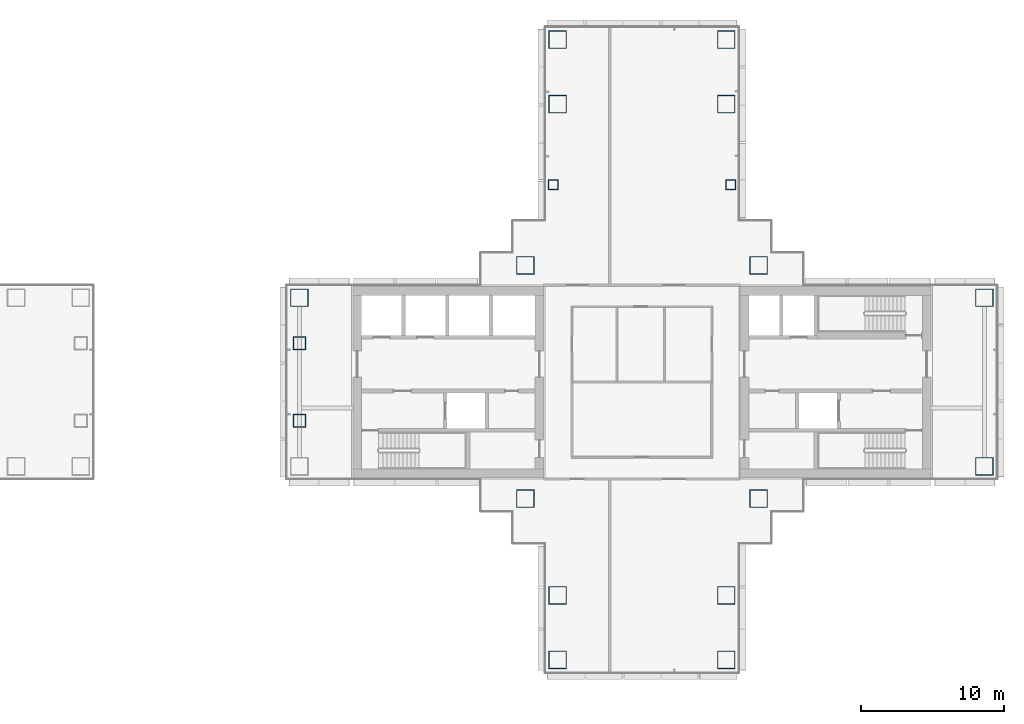
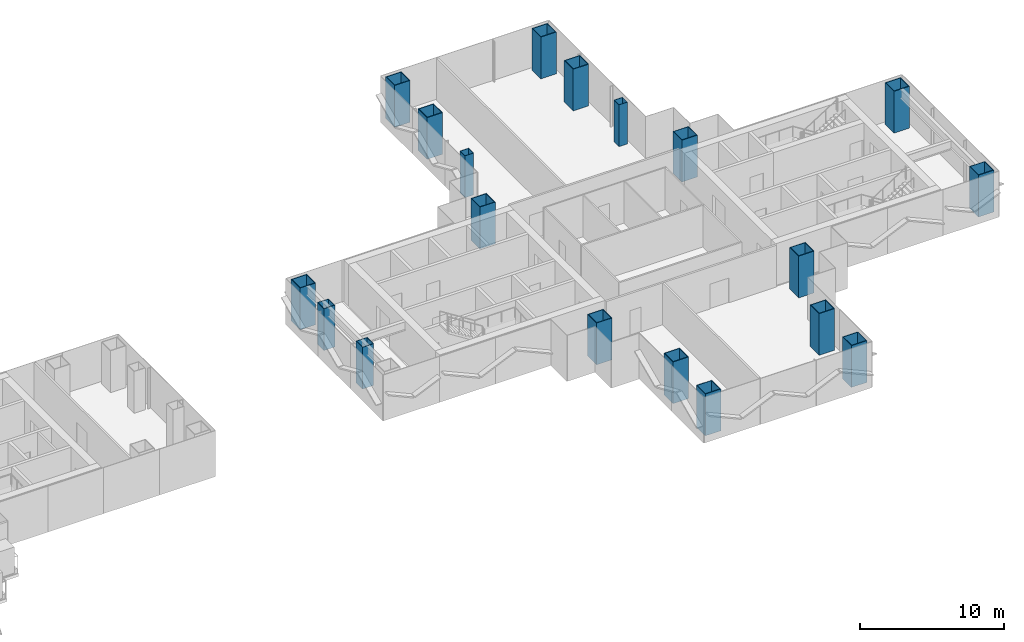
# One storey, part 2 of 20: 19 columns.
"""IFC4 building model written with IfcOpenShell, lengths in metres."""

import ifcopenshell
import ifcopenshell.guid

model = None  # the IFC model being written
_history = None  # IfcOwnerHistory: only IFC2X3 demands one
_inside = {}  # id of a spatial element -> (the spatial element, [elements in it])
_under = {}  # id of a project, library or spatial element -> (it, [spatial elements below it])
_declared = {}  # id of a project -> (the project, [libraries it declares])
_typed = {}  # id of a type object -> (the type object, [elements of that type])
_made_of = {}  # id of a material, layer set ... -> (it, [elements and type objects made of it])


def new_model(schema):
    """Start an empty IFC model of exactly this schema.

    Asked for "IFC4X3", IfcOpenShell would pick the latest addendum, in which some entities
    have other attributes; the version numbers below select the first issue.
    IFC2X3 requires an IfcOwnerHistory on every rooted entity: one is made here for all.
    """
    global model, _history
    if schema == "IFC4X3":
        model = ifcopenshell.file(schema_version=(4, 3, 0, 0))
    else:
        model = ifcopenshell.file(schema=schema)
    _inside.clear()
    _under.clear()
    _declared.clear()
    _typed.clear()
    _made_of.clear()
    _history = None
    if model.schema == "IFC2X3":
        org = make("IfcOrganization", Name="unknown")
        user = make(
            "IfcPersonAndOrganization",
            ThePerson=make("IfcPerson", FamilyName="unknown"),
            TheOrganization=org,
        )
        app = make(
            "IfcApplication",
            ApplicationDeveloper=org,
            Version="unknown",
            ApplicationFullName="unknown",
            ApplicationIdentifier="unknown",
        )
        _history = make(
            "IfcOwnerHistory",
            OwningUser=user,
            OwningApplication=app,
            ChangeAction="ADDED",
            CreationDate=0,
        )
    return model


def make(cls, **values):
    """One entity of the class cls with the attributes given. An attribute that is None is left unset."""
    return model.create_entity(
        cls, **{name: value for name, value in values.items() if value is not None}
    )


def rooted(cls, **values):
    """An entity with a GlobalId (a new one), such as an element, a storey or a relation."""
    return make(cls, GlobalId=ifcopenshell.guid.new(), OwnerHistory=_history, **values)


def si_unit(unit_type, name, prefix=None):
    """IfcSIUnit, for example si_unit("LENGTHUNIT", "METRE", prefix="MILLI")."""
    return make("IfcSIUnit", UnitType=unit_type, Prefix=prefix, Name=name)


def assignment(units):
    """IfcUnitAssignment: the units of a project."""
    return None if units is None else make("IfcUnitAssignment", Units=units)


def point(xyz):
    """IfcCartesianPoint."""
    return None if xyz is None else make("IfcCartesianPoint", Coordinates=xyz)


def direction(xyz):
    """IfcDirection."""
    return None if xyz is None else make("IfcDirection", DirectionRatios=xyz)


def frame(location, z_axis=None, x_axis=None):
    """IfcAxis2Placement3D, a coordinate frame: its origin and axes. An axis left out is left unset."""
    return make(
        "IfcAxis2Placement3D",
        Location=point(location),
        Axis=direction(z_axis),
        RefDirection=direction(x_axis),
    )


def frame_2d(location, x_axis=None):
    """IfcAxis2Placement2D, a coordinate frame in the plane: its origin and x axis."""
    return make(
        "IfcAxis2Placement2D", Location=point(location), RefDirection=direction(x_axis)
    )


def origin():
    """The frame at (0, 0, 0) with its axes left unset."""
    return frame((0.0, 0.0, 0.0))


def origin_2d():
    """The frame at (0, 0) in the plane with its x axis left unset."""
    return frame_2d((0.0, 0.0))


def place(relative_to, where):
    """IfcLocalPlacement: puts the frame where relative to a parent placement (None: the world)."""
    return make(
        "IfcLocalPlacement", PlacementRelTo=relative_to, RelativePlacement=where
    )


def context(
    kind, dimensions, precision=None, world=None, true_north=None, identifier=None
):
    """IfcGeometricRepresentationContext, for example the 3D "Model" context."""
    return make(
        "IfcGeometricRepresentationContext",
        ContextIdentifier=identifier,
        ContextType=kind,
        CoordinateSpaceDimension=dimensions,
        Precision=precision,
        WorldCoordinateSystem=world,
        TrueNorth=true_north,
    )


def subcontext(parent, identifier, kind, view, scale=None):
    """IfcGeometricRepresentationSubContext, for example "Body" below "Model"."""
    return make(
        "IfcGeometricRepresentationSubContext",
        ContextIdentifier=identifier,
        ContextType=kind,
        ParentContext=parent,
        TargetScale=scale,
        TargetView=view,
    )


def project(units=None, contexts=None):
    """IfcProject with its units and contexts."""
    return rooted(
        "IfcProject",
        Name="project",
        RepresentationContexts=contexts,
        UnitsInContext=assignment(units),
    )


def spatial(cls, under=None, at=None, **own):
    """A site, building, storey or space (cls), placed at a placement, below another one or the project."""
    s = rooted(cls, ObjectPlacement=at, **own)
    if under is not None:
        _under.setdefault(under.id(), (under, []))[1].append(s)
    return s


def profile(cls, at=None, kind="AREA", **sizes):
    """A parametric profile (cls). Its sizes go by their IFC names, for example OverallWidth=200.0."""
    return make(cls, ProfileType=kind, Position=at, **sizes)


def hollow_rectangle(**sizes):
    """IfcRectangleHollowProfileDef."""
    return profile("IfcRectangleHollowProfileDef", **sizes)


def extrude(swept, where, along, depth):
    """IfcExtrudedAreaSolid: the profile swept, set in the frame where, extruded along a direction by depth."""
    return make(
        "IfcExtrudedAreaSolid",
        SweptArea=swept,
        Position=where,
        ExtrudedDirection=direction(along),
        Depth=depth,
    )


def shape(context_of_items, identifier, shape_type, items):
    """IfcShapeRepresentation: the items that make up one representation, for example the "Body"."""
    return make(
        "IfcShapeRepresentation",
        ContextOfItems=context_of_items,
        RepresentationIdentifier=identifier,
        RepresentationType=shape_type,
        Items=items,
    )


def material(Name=None, Category=None):
    """IfcMaterial."""
    return make("IfcMaterial", Name=Name, Category=Category)


def material_profile(
    of_material, cross_section, Name=None, Category=None, Priority=None
):
    """IfcMaterialProfile: a cross section and its material."""
    return make(
        "IfcMaterialProfile",
        Name=Name,
        Material=of_material,
        Profile=cross_section,
        Priority=Priority,
        Category=Category,
    )


def profile_set(profiles, Name=None, composite=None):
    """IfcMaterialProfileSet."""
    return make(
        "IfcMaterialProfileSet",
        Name=Name,
        MaterialProfiles=profiles,
        CompositeProfile=composite,
    )


def made_of(thing, what):
    """Note that an element or type object is made of a material, layer set ...; save() writes the relation."""
    if what is not None:
        _made_of.setdefault(what.id(), (what, []))[1].append(thing)
    return thing


def type_object(cls, material=None, **own):
    """A type object (cls), such as IfcWallType, which elements share."""
    return made_of(rooted(cls, **own), material)


def element(
    cls,
    number,
    at=None,
    inside=None,
    cuts=None,
    type_object=None,
    material=None,
    context=None,
    identifier="Body",
    shape_type=None,
    held_by="IfcProductDefinitionShape",
    body=None,
    shapes=None,
    **own,
):
    """One element of the class cls, such as IfcWall. Its Tag is "e" and its number.

    at: its placement. inside: the storey or other place that contains it. cuts: it is an
    opening in that element (IfcRelVoidsElement). A single representation is given by context,
    identifier, shape_type and body (its items); several are given by shapes. held_by: the class
    of the entity that holds the representations. save() writes the other relations.
    """
    e = rooted(cls, Tag="e%d" % number, ObjectPlacement=at, **own)
    if body is not None:
        shapes = [shape(context, identifier, shape_type, body)]
    if shapes is not None:
        e.Representation = make(held_by, Representations=shapes)
    if inside is not None:
        _inside.setdefault(inside.id(), (inside, []))[1].append(e)
    if cuts is not None:
        rooted(
            "IfcRelVoidsElement", RelatingBuildingElement=cuts, RelatedOpeningElement=e
        )
    if type_object is not None:
        _typed.setdefault(type_object.id(), (type_object, []))[1].append(e)
    return made_of(e, material)


def aggregate(whole, parts):
    """IfcRelAggregates: a whole, such as a stair, and the parts it consists of."""
    return rooted("IfcRelAggregates", RelatingObject=whole, RelatedObjects=parts)


def save(model, path):
    """Write the relations noted so far, then the file.

    IfcRelAggregates (storeys below a building ...), IfcRelContainedInSpatialStructure (elements
    in a storey), IfcRelDefinesByType, IfcRelAssociatesMaterial and IfcRelDeclares: one each for
    every whole, place, type object, material and project.
    """
    for whole, parts in _under.values():
        aggregate(whole, parts)
    for where, things in _inside.values():
        rooted(
            "IfcRelContainedInSpatialStructure",
            RelatedElements=things,
            RelatingStructure=where,
        )
    for kind, things in _typed.values():
        rooted("IfcRelDefinesByType", RelatedObjects=things, RelatingType=kind)
    for what, things in _made_of.values():
        rooted("IfcRelAssociatesMaterial", RelatedObjects=things, RelatingMaterial=what)
    for by, libraries in _declared.values():
        rooted("IfcRelDeclares", RelatingContext=by, RelatedDefinitions=libraries)
    model.write(path)


model = new_model("IFC4")

# Units and contexts
model_context = context("Model", 3, precision=1e-05, world=origin(), true_north=direction((0.0, 1.0)))
body_context = subcontext(model_context, "Body", "Model", "MODEL_VIEW")
ifc_project = project(units=[si_unit("LENGTHUNIT", "METRE"), si_unit("AREAUNIT", "SQUARE_METRE"), si_unit("VOLUMEUNIT", "CUBIC_METRE"), si_unit("PLANEANGLEUNIT", "RADIAN"), si_unit("MASSUNIT", "GRAM", prefix="KILO")], contexts=[model_context])

# Site, building, storey
site_placement = place(None, origin())
site = spatial("IfcSite", under=ifc_project, at=site_placement, CompositionType="ELEMENT")
building_placement = place(site_placement, origin())
building = spatial("IfcBuilding", under=site, at=building_placement, Name="Shamsa Quay Exchange Towers", CompositionType="ELEMENT")
storey_placement = place(building_placement, frame((0.0, 0.0, 105.300048828125)))
storey = spatial("IfcBuildingStorey", under=building, at=storey_placement, Name="L24", CompositionType="ELEMENT", Elevation=105.300048828125)

# Columns
ifc_material_1 = material(Name="Concrete-filled steel tube S355 / C80/95", Category="concrete")
ifc_material_profile_1 = material_profile(ifc_material_1, hollow_rectangle(XDim=1.25, YDim=1.25, WallThickness=0.050048828125, at=origin_2d()), Name="CFT 1250x1250x50")
ifc_profile_set_1 = profile_set([ifc_material_profile_1], Name="Concrete-filled steel tube S355 / C80/95")
column_type_1 = type_object("IfcColumnType", Name="Column CFT 1250x1250x50", PredefinedType="COLUMN", material=ifc_profile_set_1)
for number, where, name in (
    (1, (25.625, 8.125, 0.0), "Mega column T2-CM01"),
    (2, (41.875, 8.125, 0.0), "Mega column T2-CM02"),
    (3, (25.625, -8.125, 0.0), "Mega column T2-CM03"),
    (4, (41.875, -8.125, 0.0), "Mega column T2-CM04"),
    (5, (39.625, 19.375, 0.0), "Mega column T2-CM06"),
    (6, (39.625, 23.875, 0.0), "Mega column T2-CM07"),
    (7, (27.875, 19.375, 0.0), "Mega column T2-CM10"),
    (8, (27.875, 23.875, 0.0), "Mega column T2-CM11"),
    (9, (39.625, -14.875, 0.0), "Mega column T2-CM13"),
    (10, (39.625, -19.375, 0.0), "Mega column T2-CM14"),
    (11, (27.875, -14.875, 0.0), "Mega column T2-CM16"),
    (12, (27.875, -19.375, 0.0), "Mega column T2-CM17"),
    (13, (9.875, 5.875, 0.0), "Mega column T2-CM20"),
    (14, (57.625, -5.875, 0.0), "Mega column T2-CM21"),
    (15, (57.625, 5.875, 0.0), "Mega column T2-CM23"),
):
    element("IfcColumn", number, at=place(storey_placement, frame(where)), inside=storey, type_object=column_type_1, Name=name, PredefinedType="COLUMN", context=body_context, shape_type="SweptSolid", body=[
        extrude(hollow_rectangle(XDim=1.25, YDim=1.25, WallThickness=0.050048828125, at=origin_2d()), origin(), (0.0, 0.0, 1.0), 3.550048828125),
    ])
ifc_material_2 = material(Name="Concrete-filled steel tube S355 / C60/75", Category="concrete")
ifc_material_profile_2 = material_profile(ifc_material_2, hollow_rectangle(XDim=0.699951171875, YDim=0.699951171875, WallThickness=0.02490234375, at=origin_2d()), Name="CFT 700x700x25")
ifc_profile_set_2 = profile_set([ifc_material_profile_2], Name="Concrete-filled steel tube S355 / C60/75")
column_type_2 = type_object("IfcColumnType", Name="Column CFT 700x700x25", PredefinedType="COLUMN", material=ifc_profile_set_2)
for number, where, name in (
    (16, (39.9375, 13.75, 0.0), "Perimeter column T2-CP05"),
    (17, (27.5625, 13.75, 0.0), "Perimeter column T2-CP09"),
):
    element("IfcColumn", number, at=place(storey_placement, frame(where)), inside=storey, type_object=column_type_2, Name=name, PredefinedType="COLUMN", context=body_context, shape_type="SweptSolid", body=[
        extrude(hollow_rectangle(XDim=0.699951171875, YDim=0.699951171875, WallThickness=0.02490234375, at=origin_2d()), origin(), (0.0, 0.0, 1.0), 3.550048828125),
    ])
ifc_material_3 = material(Name="Concrete-filled steel tube S355 / C70/85", Category="concrete")
ifc_material_profile_3 = material_profile(ifc_material_3, hollow_rectangle(XDim=0.89990234375, YDim=0.89990234375, WallThickness=0.035888671875, at=origin_2d()), Name="CFT 900x900x36")
ifc_profile_set_3 = profile_set([ifc_material_profile_3], Name="Concrete-filled steel tube S355 / C70/85")
column_type_3 = type_object("IfcColumnType", Name="Landing column CFT 900x900x36", PredefinedType="COLUMN", material=ifc_profile_set_3)
for number, where, name in (
    (18, (9.875, -2.699951171875, 0.0), "Landing column T2 S"),
    (19, (9.875, 2.699951171875, 0.0), "Landing column T2 N"),
):
    element("IfcColumn", number, at=place(storey_placement, frame(where)), inside=storey, type_object=column_type_3, Name=name, PredefinedType="COLUMN", context=body_context, shape_type="SweptSolid", body=[
        extrude(hollow_rectangle(XDim=0.89990234375, YDim=0.89990234375, WallThickness=0.035888671875, at=origin_2d()), origin(), (0.0, 0.0, 1.0), 3.550048828125),
    ])

save(model, "model.ifc")
